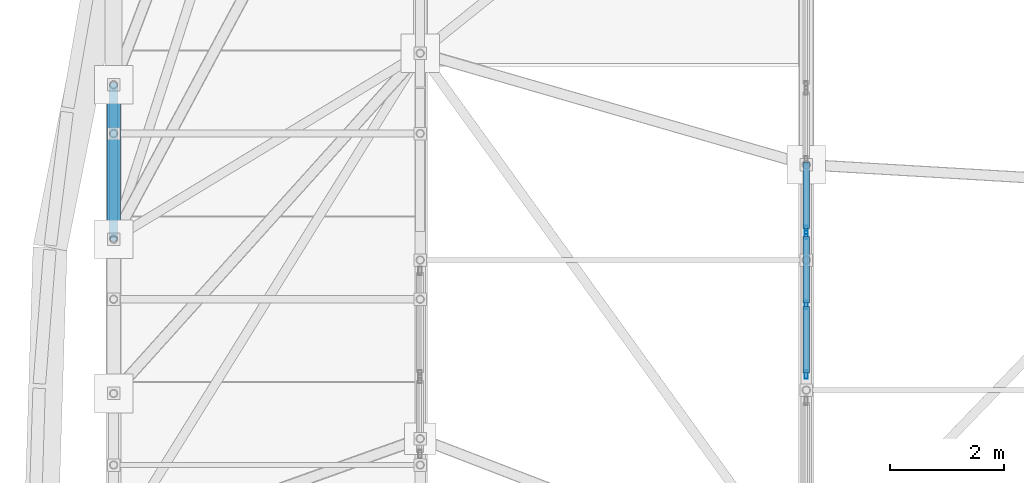
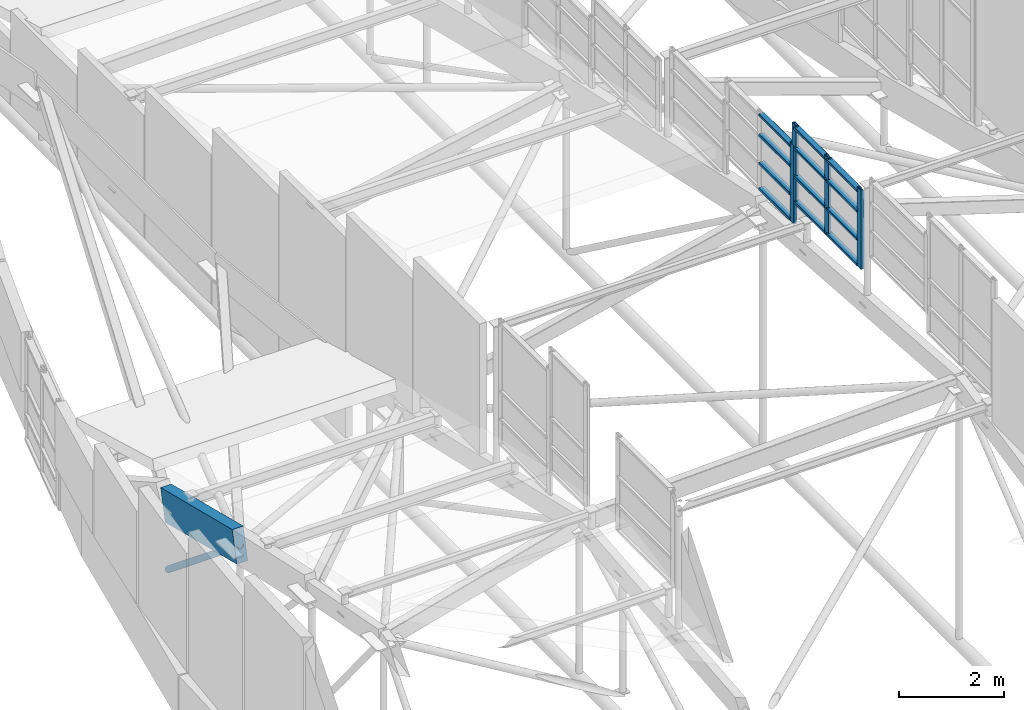
# One storey, part 44 of 188: 18 members, 2 elements without a shape of their own.
"""IFC4 building model written with IfcOpenShell, lengths in metres."""

from ifc_helpers import new_model, si_unit, direction, frame, origin, origin_2d, place, context, subcontext, project, spatial, rectangle, hollow_rectangle, hollow_circle, extrude, material, layer, layer_set, material_profile, profile_set, type_object, element, aggregate, save


model = new_model("IFC4")

# Units and contexts
model_context = context("Model", 3, precision=1e-05, world=origin(), true_north=direction((0.0, 1.0)))
body_context = subcontext(model_context, "Body", "Model", "MODEL_VIEW")
ifc_project = project(units=[si_unit("LENGTHUNIT", "METRE"), si_unit("AREAUNIT", "SQUARE_METRE"), si_unit("VOLUMEUNIT", "CUBIC_METRE"), si_unit("PLANEANGLEUNIT", "RADIAN"), si_unit("MASSUNIT", "GRAM", prefix="KILO")], contexts=[model_context])

# Site, building, storey
site_placement = place(None, origin())
site = spatial("IfcSite", under=ifc_project, at=site_placement, CompositionType="ELEMENT")
building_placement = place(site_placement, origin())
building = spatial("IfcBuilding", under=site, at=building_placement, Name="Kisaragi Civic Commons", CompositionType="ELEMENT")
storey_placement = place(building_placement, frame((0.0, 0.0, 9.60009765625)))
storey = spatial("IfcBuildingStorey", under=building, at=storey_placement, Name="L02", CompositionType="ELEMENT", Elevation=9.60009765625)

# Curtain wall, members
ifc_material_1 = material(Name="Thermally broken anodized aluminium and low-E double glazing", Category="aluminium")
ifc_layer = layer(ifc_material_1, 0.14990234375, Name="Thermally broken anodized aluminium and low-E double glazing", Category="aluminium")
ifc_layer_set = layer_set([ifc_layer], Name="Thermally broken anodized aluminium and low-E double glazing")
curtain_wall_type = type_object("IfcCurtainWallType", Name="CW-03", PredefinedType="NOTDEFINED", material=ifc_layer_set)
curtain_wall_1_placement = place(storey_placement, origin())
curtain_wall_1 = element("IfcCurtainWall", 1, at=curtain_wall_1_placement, inside=storey, type_object=curtain_wall_type, Name="L02 curtain wall CW-03 CW-CL-V1-144", PredefinedType="NOTDEFINED")
ifc_material_profile_1 = material_profile(ifc_material_1, hollow_rectangle(XDim=0.06005859375, YDim=0.14990234375, WallThickness=0.00390625, InnerFilletRadius=0.00390625, OuterFilletRadius=0.008056640625, at=origin_2d()), Name="CWM-60x150x4", Category="aluminium")
ifc_profile_set_1 = profile_set([ifc_material_profile_1], Name="Thermally broken anodized aluminium and low-E double glazing")
member_type_1 = type_object("IfcMemberType", Name="CWM-01", PredefinedType="MULLION", material=ifc_profile_set_1)
member_1_placement = place(storey_placement, frame((13.60009765625, 36.3671875, 5.734619140625), z_axis=(0.0, 0.0, 1.0), x_axis=(-1.0, 0.0, 0.0)))
member_1 = element("IfcMember", 2, at=member_1_placement, type_object=member_type_1, Name="CW-03 mullion 1", PredefinedType="MULLION", context=body_context, shape_type="SweptSolid", body=[
    extrude(hollow_rectangle(XDim=0.06005859375, YDim=0.14990234375, WallThickness=0.00390625, InnerFilletRadius=0.00390625, OuterFilletRadius=0.008056640625, at=origin_2d()), origin(), (0.0, 0.0, 1.0), 1.83349609375),
])
member_2_placement = place(storey_placement, frame((13.60009765625, 37.597412109375, 5.734619140625), z_axis=(0.0, 0.0, 1.0), x_axis=(-1.0, 0.0, 0.0)))
member_2 = element("IfcMember", 3, at=member_2_placement, type_object=member_type_1, Name="CW-03 mullion 2", PredefinedType="MULLION", context=body_context, shape_type="SweptSolid", body=[
    extrude(hollow_rectangle(XDim=0.06005859375, YDim=0.14990234375, WallThickness=0.00390625, InnerFilletRadius=0.00390625, OuterFilletRadius=0.008056640625, at=origin_2d()), origin(), (0.0, 0.0, 1.0), 1.83349609375),
])
member_3_placement = place(storey_placement, frame((13.60009765625, 38.82763671875, 5.734619140625), z_axis=(0.0, 0.0, 1.0), x_axis=(-1.0, 0.0, 0.0)))
member_3 = element("IfcMember", 4, at=member_3_placement, type_object=member_type_1, Name="CW-03 mullion 3", PredefinedType="MULLION", context=body_context, shape_type="SweptSolid", body=[
    extrude(hollow_rectangle(XDim=0.06005859375, YDim=0.14990234375, WallThickness=0.00390625, InnerFilletRadius=0.00390625, OuterFilletRadius=0.008056640625, at=origin_2d()), origin(), (0.0, 0.0, 1.0), 1.83349609375),
])

# Curtain wall, member
curtain_wall_2_placement = place(storey_placement, origin())
curtain_wall_2 = element("IfcCurtainWall", 5, at=curtain_wall_2_placement, inside=storey, type_object=curtain_wall_type, Name="L02 curtain wall CW-03 CW-CL-V1-145", PredefinedType="NOTDEFINED")
member_4_placement = place(storey_placement, frame((13.60009765625, 38.91162109375, 5.239990234375), z_axis=(0.0, 0.0, 1.0), x_axis=(-1.0, 0.0, 0.0)))
member_4 = element("IfcMember", 6, at=member_4_placement, type_object=member_type_1, Name="CW-03 mullion 1", PredefinedType="MULLION", context=body_context, shape_type="SweptSolid", body=[
    extrude(hollow_rectangle(XDim=0.06005859375, YDim=0.14990234375, WallThickness=0.00390625, InnerFilletRadius=0.00390625, OuterFilletRadius=0.008056640625, at=origin_2d()), origin(), (0.0, 0.0, 1.0), 1.826171875),
])

# Member
ifc_material_profile_2 = material_profile(ifc_material_1, hollow_rectangle(XDim=0.1201171875, YDim=0.06005859375, WallThickness=0.00390625, InnerFilletRadius=0.00390625, OuterFilletRadius=0.008056640625, at=origin_2d()), Name="CWT-60x120x4", Category="aluminium")
ifc_profile_set_2 = profile_set([ifc_material_profile_2], Name="Thermally broken anodized aluminium and low-E double glazing")
member_type_2 = type_object("IfcMemberType", Name="CWT-01", PredefinedType="USERDEFINED", material=ifc_profile_set_2)
member_5_placement = place(storey_placement, frame((13.60009765625, 36.397216796875, 5.794677734375), z_axis=(0.0, 1.0, 0.0), x_axis=(-1.0, 0.0, 0.0)))
member_5 = element("IfcMember", 7, at=member_5_placement, type_object=member_type_2, Name="CW-03 transom 1.1", ObjectType="TRANSOM", PredefinedType="USERDEFINED", context=body_context, shape_type="SweptSolid", body=[
    extrude(hollow_rectangle(XDim=0.1201171875, YDim=0.06005859375, WallThickness=0.00390625, InnerFilletRadius=0.00390625, OuterFilletRadius=0.008056640625, at=origin_2d()), origin(), (0.0, 0.0, 1.0), 1.170166015625),
])

member_6_placement = place(storey_placement, frame((13.60009765625, 36.397216796875, 6.384521484375), z_axis=(0.0, 1.0, 0.0), x_axis=(-1.0, 0.0, 0.0)))
member_6 = element("IfcMember", 8, at=member_6_placement, type_object=member_type_2, Name="CW-03 transom 1.2", ObjectType="TRANSOM", PredefinedType="USERDEFINED", context=body_context, shape_type="SweptSolid", body=[
    extrude(hollow_rectangle(XDim=0.1201171875, YDim=0.06005859375, WallThickness=0.00390625, InnerFilletRadius=0.00390625, OuterFilletRadius=0.008056640625, at=origin_2d()), origin(), (0.0, 0.0, 1.0), 1.170166015625),
])

member_7_placement = place(storey_placement, frame((13.60009765625, 36.397216796875, 7.03466796875), z_axis=(0.0, 1.0, 0.0), x_axis=(-1.0, 0.0, 0.0)))
member_7 = element("IfcMember", 9, at=member_7_placement, type_object=member_type_2, Name="CW-03 transom 1.3", ObjectType="TRANSOM", PredefinedType="USERDEFINED", context=body_context, shape_type="SweptSolid", body=[
    extrude(hollow_rectangle(XDim=0.1201171875, YDim=0.06005859375, WallThickness=0.00390625, InnerFilletRadius=0.00390625, OuterFilletRadius=0.008056640625, at=origin_2d()), origin(), (0.0, 0.0, 1.0), 1.170166015625),
])

member_8_placement = place(storey_placement, frame((13.60009765625, 36.397216796875, 7.508056640625), z_axis=(0.0, 1.0, 0.0), x_axis=(-1.0, 0.0, 0.0)))
member_8 = element("IfcMember", 10, at=member_8_placement, type_object=member_type_2, Name="CW-03 transom 1.4", ObjectType="TRANSOM", PredefinedType="USERDEFINED", context=body_context, shape_type="SweptSolid", body=[
    extrude(hollow_rectangle(XDim=0.1201171875, YDim=0.06005859375, WallThickness=0.00390625, InnerFilletRadius=0.00390625, OuterFilletRadius=0.008056640625, at=origin_2d()), origin(), (0.0, 0.0, 1.0), 1.170166015625),
])

member_9_placement = place(storey_placement, frame((13.60009765625, 37.62744140625, 5.794677734375), z_axis=(0.0, 1.0, 0.0), x_axis=(-1.0, 0.0, 0.0)))
member_9 = element("IfcMember", 11, at=member_9_placement, type_object=member_type_2, Name="CW-03 transom 2.1", ObjectType="TRANSOM", PredefinedType="USERDEFINED", context=body_context, shape_type="SweptSolid", body=[
    extrude(hollow_rectangle(XDim=0.1201171875, YDim=0.06005859375, WallThickness=0.00390625, InnerFilletRadius=0.00390625, OuterFilletRadius=0.008056640625, at=origin_2d()), origin(), (0.0, 0.0, 1.0), 1.170166015625),
])

member_10_placement = place(storey_placement, frame((13.60009765625, 37.62744140625, 6.384521484375), z_axis=(0.0, 1.0, 0.0), x_axis=(-1.0, 0.0, 0.0)))
member_10 = element("IfcMember", 12, at=member_10_placement, type_object=member_type_2, Name="CW-03 transom 2.2", ObjectType="TRANSOM", PredefinedType="USERDEFINED", context=body_context, shape_type="SweptSolid", body=[
    extrude(hollow_rectangle(XDim=0.1201171875, YDim=0.06005859375, WallThickness=0.00390625, InnerFilletRadius=0.00390625, OuterFilletRadius=0.008056640625, at=origin_2d()), origin(), (0.0, 0.0, 1.0), 1.170166015625),
])

member_11_placement = place(storey_placement, frame((13.60009765625, 37.62744140625, 7.03466796875), z_axis=(0.0, 1.0, 0.0), x_axis=(-1.0, 0.0, 0.0)))
member_11 = element("IfcMember", 13, at=member_11_placement, type_object=member_type_2, Name="CW-03 transom 2.3", ObjectType="TRANSOM", PredefinedType="USERDEFINED", context=body_context, shape_type="SweptSolid", body=[
    extrude(hollow_rectangle(XDim=0.1201171875, YDim=0.06005859375, WallThickness=0.00390625, InnerFilletRadius=0.00390625, OuterFilletRadius=0.008056640625, at=origin_2d()), origin(), (0.0, 0.0, 1.0), 1.170166015625),
])

member_12_placement = place(storey_placement, frame((13.60009765625, 37.62744140625, 7.508056640625), z_axis=(0.0, 1.0, 0.0), x_axis=(-1.0, 0.0, 0.0)))
member_12 = element("IfcMember", 14, at=member_12_placement, type_object=member_type_2, Name="CW-03 transom 2.4", ObjectType="TRANSOM", PredefinedType="USERDEFINED", context=body_context, shape_type="SweptSolid", body=[
    extrude(hollow_rectangle(XDim=0.1201171875, YDim=0.06005859375, WallThickness=0.00390625, InnerFilletRadius=0.00390625, OuterFilletRadius=0.008056640625, at=origin_2d()), origin(), (0.0, 0.0, 1.0), 1.170166015625),
])

aggregate(curtain_wall_1, [member_1, member_2, member_3, member_5, member_6, member_7, member_8, member_9, member_10, member_11, member_12])

member_13_placement = place(storey_placement, frame((13.60009765625, 38.941650390625, 5.300048828125), z_axis=(0.0, 1.0, 0.0), x_axis=(-1.0, 0.0, 0.0)))
member_13 = element("IfcMember", 15, at=member_13_placement, type_object=member_type_2, Name="CW-03 transom 1.1", ObjectType="TRANSOM", PredefinedType="USERDEFINED", context=body_context, shape_type="SweptSolid", body=[
    extrude(hollow_rectangle(XDim=0.1201171875, YDim=0.06005859375, WallThickness=0.00390625, InnerFilletRadius=0.00390625, OuterFilletRadius=0.008056640625, at=origin_2d()), origin(), (0.0, 0.0, 1.0), 1.170166015625),
])

member_14_placement = place(storey_placement, frame((13.60009765625, 38.941650390625, 5.889892578125), z_axis=(0.0, 1.0, 0.0), x_axis=(-1.0, 0.0, 0.0)))
member_14 = element("IfcMember", 16, at=member_14_placement, type_object=member_type_2, Name="CW-03 transom 1.2", ObjectType="TRANSOM", PredefinedType="USERDEFINED", context=body_context, shape_type="SweptSolid", body=[
    extrude(hollow_rectangle(XDim=0.1201171875, YDim=0.06005859375, WallThickness=0.00390625, InnerFilletRadius=0.00390625, OuterFilletRadius=0.008056640625, at=origin_2d()), origin(), (0.0, 0.0, 1.0), 1.170166015625),
])

member_15_placement = place(storey_placement, frame((13.60009765625, 38.941650390625, 6.5400390625), z_axis=(0.0, 1.0, 0.0), x_axis=(-1.0, 0.0, 0.0)))
member_15 = element("IfcMember", 17, at=member_15_placement, type_object=member_type_2, Name="CW-03 transom 1.3", ObjectType="TRANSOM", PredefinedType="USERDEFINED", context=body_context, shape_type="SweptSolid", body=[
    extrude(hollow_rectangle(XDim=0.1201171875, YDim=0.06005859375, WallThickness=0.00390625, InnerFilletRadius=0.00390625, OuterFilletRadius=0.008056640625, at=origin_2d()), origin(), (0.0, 0.0, 1.0), 1.170166015625),
])

member_16_placement = place(storey_placement, frame((13.60009765625, 38.941650390625, 7.006103515625), z_axis=(0.0, 1.0, 0.0), x_axis=(-1.0, 0.0, 0.0)))
member_16 = element("IfcMember", 18, at=member_16_placement, type_object=member_type_2, Name="CW-03 transom 1.4", ObjectType="TRANSOM", PredefinedType="USERDEFINED", context=body_context, shape_type="SweptSolid", body=[
    extrude(hollow_rectangle(XDim=0.1201171875, YDim=0.06005859375, WallThickness=0.00390625, InnerFilletRadius=0.00390625, OuterFilletRadius=0.008056640625, at=origin_2d()), origin(), (0.0, 0.0, 1.0), 1.170166015625),
])

aggregate(curtain_wall_2, [member_4, member_13, member_14, member_15, member_16])

# Members
ifc_material_2 = material(Name="Glulam E120-F330", Category="wood")
ifc_material_profile_3 = material_profile(ifc_material_2, rectangle(XDim=0.239990234375, YDim=0.719970703125, at=origin_2d()), Name="GL-240x720", Category="wood")
ifc_profile_set_3 = profile_set([ifc_material_profile_3], Name="Glulam E120-F330")
member_type_3 = type_object("IfcMemberType", Name="GR-02", PredefinedType="RAFTER", material=ifc_profile_set_3)
member_17_placement = place(storey_placement, frame((1.39990234375, 38.75390625, 2.126953125), z_axis=(0.0, 0.97052061161, -0.241018137162), x_axis=(-1.0, 0.0, 0.0)))
element("IfcMember", 19, at=member_17_placement, inside=storey, type_object=member_type_3, Name="V1 glulam arch rib GR-02 7", PredefinedType="RAFTER", context=body_context, shape_type="SweptSolid", body=[
    extrude(rectangle(XDim=0.239990234375, YDim=0.719970703125, at=origin_2d()), origin(), (0.0, 0.0, 1.0), 2.8017578125),
])
ifc_material_3 = material(Name="Steel SN490 (SN490B)", Category="steel")
ifc_material_profile_4 = material_profile(ifc_material_3, hollow_circle(Radius=0.06982421875, WallThickness=0.006103515625, at=origin_2d()), Name="CHS-139.8x6.0", Category="steel")
ifc_profile_set_4 = profile_set([ifc_material_profile_4], Name="Steel SN490 (SN490B)")
member_type_4 = type_object("IfcMemberType", Name="ST-H1", PredefinedType="STRUT", material=ifc_profile_set_4)
member_18_placement = place(storey_placement, frame((1.39990234375, 41.47314453125, -0.080078125), z_axis=(0.0, -0.776442275189, 0.630188379216), x_axis=(1.0, 0.0, 0.0)))
element("IfcMember", 20, at=member_18_placement, inside=storey, type_object=member_type_4, Name="V1 tied arch truss diagonal web strut 14", PredefinedType="STRUT", context=body_context, shape_type="SweptSolid", body=[
    extrude(hollow_circle(Radius=0.06982421875, WallThickness=0.006103515625, at=origin_2d()), origin(), (0.0, 0.0, 1.0), 3.502197265625),
])

save(model, "model.ifc")
